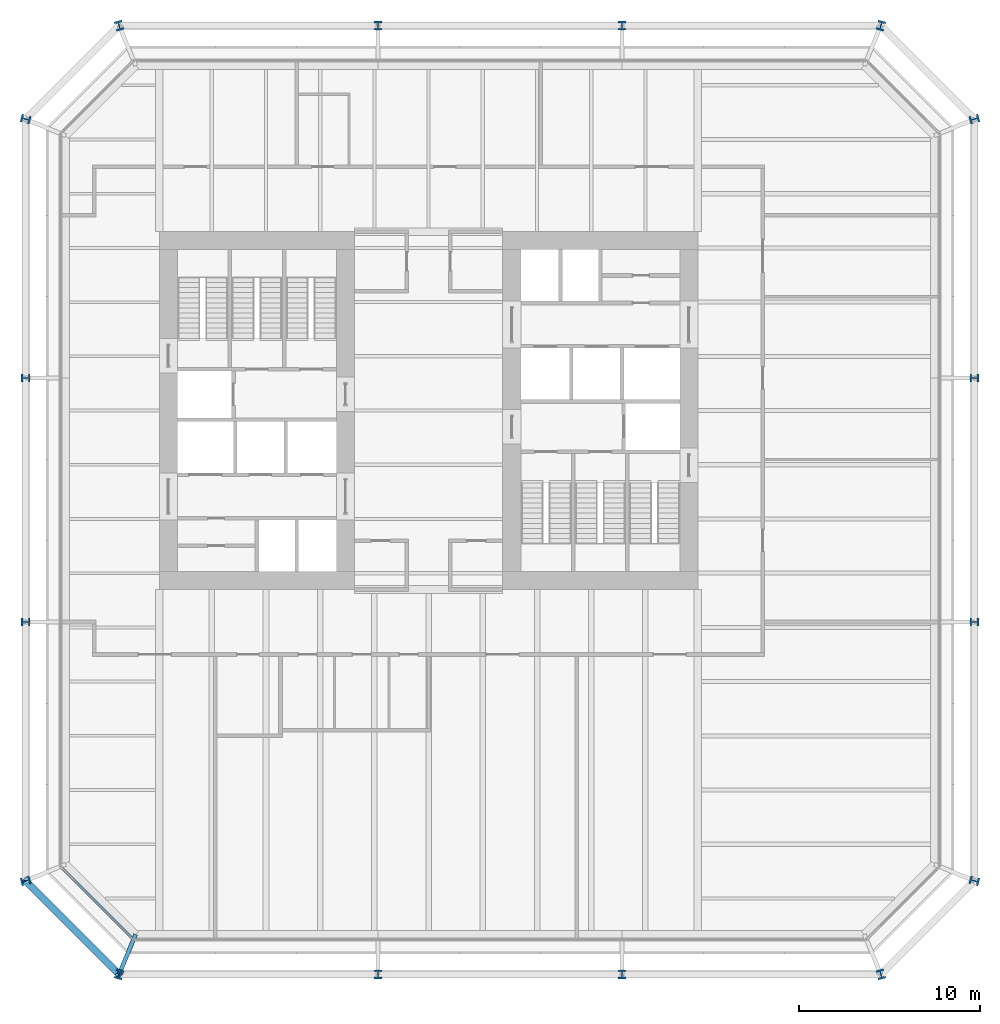
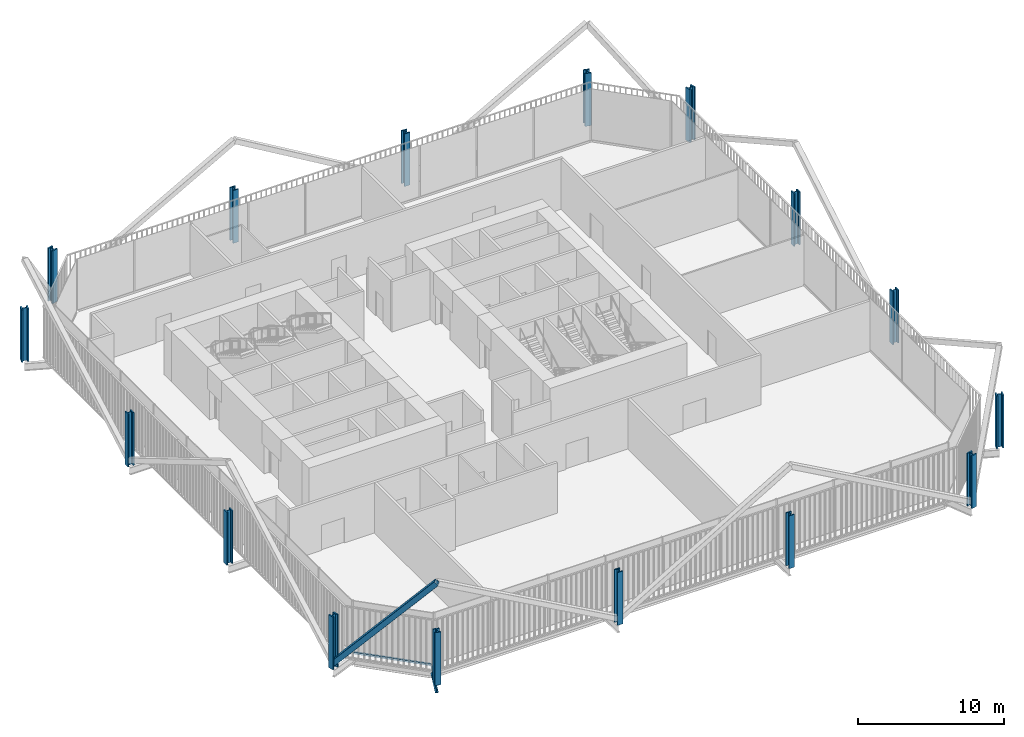
# One storey, part 1 of 21: 16 columns, 2 members, 1 beam, 1 element without a shape of its own.
"""IFC4 building model written with IfcOpenShell, lengths in metres."""

from ifc_helpers import new_model, si_unit, direction, frame, origin, origin_2d, place, context, subcontext, project, spatial, rectangle, hollow_rectangle, i_section, extrude, material, layer, layer_set, material_profile, profile_set, type_object, element, aggregate, save


model = new_model("IFC4")

# Units and contexts
model_context = context("Model", 3, precision=1e-05, world=origin(), true_north=direction((0.0, 1.0)))
body_context = subcontext(model_context, "Body", "Model", "MODEL_VIEW")
ifc_project = project(units=[si_unit("LENGTHUNIT", "METRE"), si_unit("AREAUNIT", "SQUARE_METRE"), si_unit("VOLUMEUNIT", "CUBIC_METRE"), si_unit("PLANEANGLEUNIT", "RADIAN"), si_unit("MASSUNIT", "GRAM", prefix="KILO")], contexts=[model_context])

# Site, building, storey
site_placement = place(None, origin())
site = spatial("IfcSite", under=ifc_project, at=site_placement, CompositionType="ELEMENT")
building_placement = place(site_placement, origin())
building = spatial("IfcBuilding", under=site, at=building_placement, Name="Millrace Tower", CompositionType="ELEMENT")
storey_placement = place(building_placement, frame((0.0, 0.0, 95.199951171875)))
storey = spatial("IfcBuildingStorey", under=building, at=storey_placement, Name="L21", CompositionType="ELEMENT", Elevation=95.199951171875)

# Columns
ifc_material_1 = material(Name="Steel ASTM A913 Grade 65", Category="steel")
ifc_material_profile_1 = material_profile(ifc_material_1, i_section(OverallWidth=0.431884765625, OverallDepth=0.497802734375, WebThickness=0.0556640625, FlangeThickness=0.0888671875, FilletRadius=0.01513671875, at=origin_2d()))
ifc_profile_set_1 = profile_set([ifc_material_profile_1], Name="Steel ASTM A913 Grade 65")
column_type_1 = type_object("IfcColumnType", Name="Exoskeleton column W14x500", PredefinedType="COLUMN", material=ifc_profile_set_1)
for number, where, z_axis, x_axis, name in (
    (1, (-2.800048828125, -31.199951171875, 0.0), (0.0, 0.0, 1.0), (1.0, 0.0, 0.0), "COL-B-L21-X03"),
    (2, (10.699951171875, -31.199951171875, 0.0), (0.0, 0.0, 1.0), (1.0, 0.0, 0.0), "COL-B-L21-X04"),
    (3, (30.199951171875, -11.699951171875, 0.0), (0.0, 0.0, 1.0), (0.0, 1.0, 0.0), "COL-B-L21-X07"),
    (4, (30.199951171875, 1.800048828125, 0.0), (0.0, 0.0, 1.0), (0.0, 1.0, 0.0), "COL-B-L21-X08"),
    (5, (10.699951171875, 21.300048828125, 0.0), (0.0, 0.0, 1.0), (-1.0, 0.0, 0.0), "COL-B-L21-X11"),
    (6, (-2.800048828125, 21.300048828125, 0.0), (0.0, 0.0, 1.0), (-1.0, 0.0, 0.0), "COL-B-L21-X12"),
    (7, (-22.300048828125, 1.800048828125, 0.0), (0.0, 0.0, 1.0), (0.0, -1.0, 0.0), "COL-B-L21-X15"),
    (8, (-22.300048828125, -11.699951171875, 0.0), (0.0, 0.0, 1.0), (0.0, -1.0, 0.0), "COL-B-L21-X16"),
):
    element("IfcColumn", number, at=place(storey_placement, frame(where, z_axis=z_axis, x_axis=x_axis)), inside=storey, type_object=column_type_1, Name=name, PredefinedType="COLUMN", context=body_context, shape_type="SweptSolid", body=[
        extrude(i_section(OverallWidth=0.431884765625, OverallDepth=0.497802734375, WebThickness=0.0556640625, FlangeThickness=0.0888671875, FilletRadius=0.01513671875, at=origin_2d()), origin(), (0.0, 0.0, 1.0), 4.400146484375),
    ])
ifc_material_2 = material(Name="Steel ASTM A913 Grade 65", Category="steel")
ifc_material_profile_2 = material_profile(ifc_material_2, i_section(OverallWidth=0.44189453125, OverallDepth=0.53076171875, WebThickness=0.06591796875, FlangeThickness=0.105712890625, FilletRadius=0.01513671875, at=origin_2d()))
ifc_profile_set_2 = profile_set([ifc_material_profile_2], Name="Steel ASTM A913 Grade 65")
column_type_2 = type_object("IfcColumnType", Name="Exoskeleton column W14x605", PredefinedType="COLUMN", material=ifc_profile_set_2)
for number, where, z_axis, x_axis, name in (
    (9, (-22.300048828125, -26.0283203125, 0.0), (0.0, 0.0, 1.0), (0.256346878353, -0.966584852953, 0.0), "COL-B-L21-X01"),
    (10, (-17.12841796875, -31.199951171875, 0.0), (0.0, 0.0, 1.0), (0.966584852953, -0.256346878353, 0.0), "COL-B-L21-X02"),
    (11, (25.0283203125, -31.199951171875, 0.0), (0.0, 0.0, 1.0), (0.966584852953, 0.256346878353, 0.0), "COL-B-L21-X05"),
    (12, (30.199951171875, -26.0283203125, 0.0), (0.0, 0.0, 1.0), (0.256346878353, 0.966584852953, 0.0), "COL-B-L21-X06"),
    (13, (30.199951171875, 16.12841796875, 0.0), (0.0, 0.0, 1.0), (-0.256346878353, 0.966584852953, 0.0), "COL-B-L21-X09"),
    (14, (25.0283203125, 21.300048828125, 0.0), (0.0, 0.0, 1.0), (-0.966584852953, 0.256346878353, 0.0), "COL-B-L21-X10"),
    (15, (-17.12841796875, 21.300048828125, 0.0), (0.0, 0.0, 1.0), (-0.966584852953, -0.256346878353, 0.0), "COL-B-L21-X13"),
    (16, (-22.300048828125, 16.12841796875, 0.0), (0.0, 0.0, 1.0), (-0.256346878353, -0.966584852953, 0.0), "COL-B-L21-X14"),
):
    element("IfcColumn", number, at=place(storey_placement, frame(where, z_axis=z_axis, x_axis=x_axis)), inside=storey, type_object=column_type_2, Name=name, PredefinedType="COLUMN", context=body_context, shape_type="SweptSolid", body=[
        extrude(i_section(OverallWidth=0.44189453125, OverallDepth=0.53076171875, WebThickness=0.06591796875, FlangeThickness=0.105712890625, FilletRadius=0.01513671875, at=origin_2d()), origin(), (0.0, 0.0, 1.0), 4.400146484375),
    ])

# Curtain wall, member
ifc_material_3 = material(Name="Aluminium and glass", Category="aluminium")
ifc_layer = layer(ifc_material_3, 0.14990234375)
ifc_layer_set = layer_set([ifc_layer], Name="Aluminium and glass")
curtain_wall_type = type_object("IfcCurtainWallType", Name="CW-3 telecom floor curtain wall", PredefinedType="NOTDEFINED", material=ifc_layer_set)
curtain_wall_placement = place(storey_placement, origin())
curtain_wall = element("IfcCurtainWall", 17, at=curtain_wall_placement, inside=storey, type_object=curtain_wall_type, Name="Curtain wall B-F01 L21", PredefinedType="NOTDEFINED")
ifc_material_4 = material(Name="Aluminium", Category="aluminium")
ifc_material_profile_3 = material_profile(ifc_material_4, rectangle(XDim=0.14990234375, YDim=0.14990234375, at=origin_2d()))
ifc_profile_set_3 = profile_set([ifc_material_profile_3], Name="Aluminium")
member_type_1 = type_object("IfcMemberType", Name="CW-3 telecom floor curtain wall transom", PredefinedType="USERDEFINED", material=ifc_profile_set_3)
member_1_placement = place(storey_placement, frame((-20.2822265625, -25.32373046875, 0.074951171875), z_axis=(0.707084410407, -0.707129151258, 0.0), x_axis=(0.707129151258, 0.707084410407, 0.0)))
member_1 = element("IfcMember", 18, at=member_1_placement, type_object=member_type_1, Name="CW3 transom B-F01.1", ObjectType="TRANSOM", PredefinedType="USERDEFINED", context=body_context, shape_type="SweptSolid", body=[
    extrude(rectangle(XDim=0.14990234375, YDim=0.14990234375, at=origin_2d()), origin(), (0.0, 0.0, 1.0), 5.456787109375),
])
aggregate(curtain_wall, [member_1])

# Member
ifc_material_5 = material(Name="Steel ASTM A500 Grade C", Category="steel")
ifc_material_profile_4 = material_profile(ifc_material_5, hollow_rectangle(XDim=0.406494140625, YDim=0.406494140625, WallThickness=0.0126953125, InnerFilletRadius=0.00634765625, OuterFilletRadius=0.01904296875, at=origin_2d()))
ifc_profile_set_4 = profile_set([ifc_material_profile_4], Name="Steel ASTM A500 Grade C")
member_type_2 = type_object("IfcMemberType", Name="Exoskeleton brace HSS16x16x1/2", PredefinedType="BRACE", material=ifc_profile_set_4)
member_2_placement = place(storey_placement, frame((-22.300048828125, -26.0283203125, 0.400146484375), z_axis=(0.477116280189, -0.477116280189, 0.738051563482), x_axis=(0.707106781187, 0.707106781187, 0.0)))
element("IfcMember", 19, at=member_2_placement, inside=storey, type_object=member_type_2, Name="BRC-B-L21-01", PredefinedType="BRACE", context=body_context, shape_type="SweptSolid", body=[
    extrude(hollow_rectangle(XDim=0.406494140625, YDim=0.406494140625, WallThickness=0.0126953125, InnerFilletRadius=0.00634765625, OuterFilletRadius=0.01904296875, at=origin_2d()), origin(), (0.0, 0.0, 1.0), 10.83935546875),
])

# Beam
ifc_material_6 = material(Name="Steel ASTM A992 Grade 50", Category="steel")
ifc_material_profile_5 = material_profile(ifc_material_6, i_section(OverallWidth=0.23046875, OverallDepth=0.6171875, WebThickness=0.01318359375, FlangeThickness=0.022216796875, FilletRadius=0.012939453125, at=origin_2d()))
ifc_profile_set_5 = profile_set([ifc_material_profile_5], Name="Steel ASTM A992 Grade 50")
beam_type = type_object("IfcBeamType", Name="Link beam W24x94", PredefinedType="BEAM", material=ifc_profile_set_5)
beam_placement = place(storey_placement, frame((-16.213134765625, -28.990478515625, -0.508544921875), z_axis=(-0.382715433277, -0.92386627665, 0.0), x_axis=(0.92386627665, -0.382715433277, 0.0)))
element("IfcBeam", 20, at=beam_placement, inside=storey, type_object=beam_type, Name="LNK-B-L21-S1-16", PredefinedType="BEAM", context=body_context, shape_type="SweptSolid", body=[
    extrude(i_section(OverallWidth=0.23046875, OverallDepth=0.6171875, WebThickness=0.01318359375, FlangeThickness=0.022216796875, FilletRadius=0.012939453125, at=origin_2d()), origin(), (0.0, 0.0, 1.0), 2.3916015625),
])

save(model, "model.ifc")
